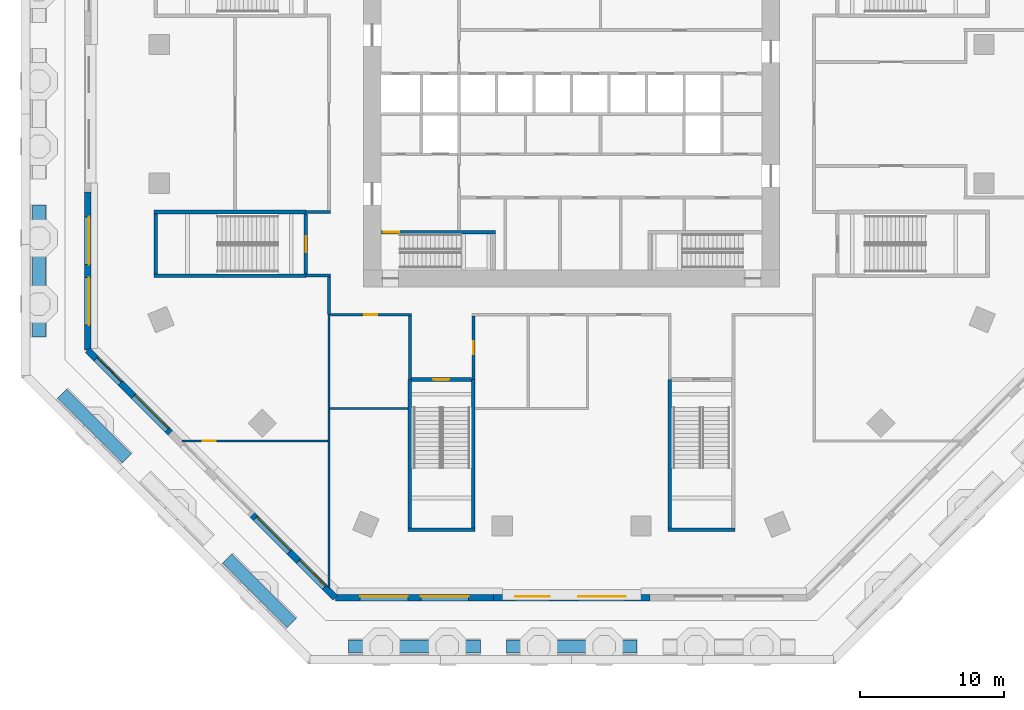
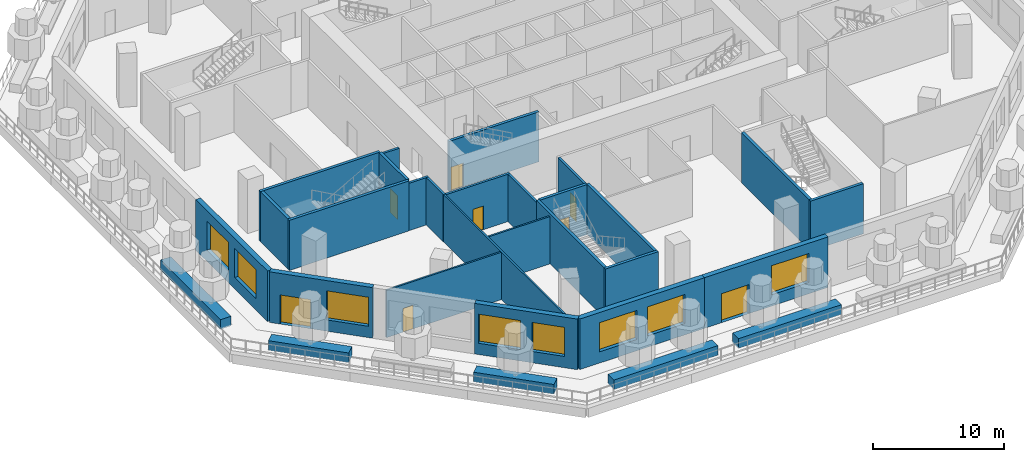
# One storey, part 3 of 13: 30 walls, 8 doors, 8 windows, 16 openings.
"""IFC4 building model written with IfcOpenShell, lengths in metres."""

from ifc_helpers import new_model, si_unit, direction, frame, frame_2d, origin, place, context, subcontext, project, spatial, rectangle, extrude, material, layer, layer_set, type_object, element, fill, save


model = new_model("IFC4")

# Units and contexts
model_context = context("Model", 3, precision=1e-05, world=origin(), true_north=direction((0.0, 1.0)))
body_context = subcontext(model_context, "Body", "Model", "MODEL_VIEW")
ifc_project = project(units=[si_unit("LENGTHUNIT", "METRE"), si_unit("AREAUNIT", "SQUARE_METRE"), si_unit("VOLUMEUNIT", "CUBIC_METRE"), si_unit("PLANEANGLEUNIT", "RADIAN"), si_unit("MASSUNIT", "GRAM", prefix="KILO")], contexts=[model_context])

# Site, building, storey
site_placement = place(None, origin())
site = spatial("IfcSite", under=ifc_project, at=site_placement, CompositionType="ELEMENT")
building_placement = place(site_placement, origin())
building = spatial("IfcBuilding", under=site, at=building_placement, Name="Msitu Wima Residences", CompositionType="ELEMENT")
storey_placement = place(building_placement, frame((0.0, 0.0, 16.0)))
storey = spatial("IfcBuildingStorey", under=building, at=storey_placement, Name="L03", CompositionType="ELEMENT", Elevation=16.0)

# Wall, openings, windows
ifc_material_1 = material(Name="Brick (red buff mix), cavity wall of two leaves", Category="masonry")
ifc_layer_1 = layer(ifc_material_1, 0.449951171875)
ifc_layer_set_1 = layer_set([ifc_layer_1], Name="Brick (red buff mix), cavity wall of two leaves")
wall_type_1 = type_object("IfcWallType", Name="Brick infill wall BW450 podium", PredefinedType="ELEMENTEDWALL", material=ifc_layer_set_1)
wall_1_placement = place(storey_placement, frame((-33.52490234375, -5.42138671875, 0.0), z_axis=(0.0, 0.0, 1.0), x_axis=(0.0, -1.0, 0.0)))
wall_1 = element("IfcWall", 1, at=wall_1_placement, inside=storey, type_object=wall_type_1, Name="Brick infill wall L03 W2", PredefinedType="ELEMENTEDWALL", context=body_context, shape_type="SweptSolid", body=[
    extrude(rectangle(XDim=10.935791015625, YDim=0.449951171875, at=frame_2d((5.4677734375, 0.0))), origin(), (0.0, 0.0, 1.0), 4.699951171875),
])
opening_1_placement = place(wall_1_placement, frame((1.718017578125, 0.0, 1.050048828125)))
opening_1 = element("IfcOpeningElement", 2, at=opening_1_placement, cuts=wall_1, Name="Opening W03.039", PredefinedType="OPENING", context=body_context, shape_type="SweptSolid", body=[
    extrude(rectangle(XDim=3.300048828125, YDim=2.699951171875, at=frame_2d((1.64990234375, 1.35009765625))), frame((0.0, 0.23486328125, 0.0), z_axis=(0.0, -1.0, 0.0), x_axis=(1.0, 0.0, 0.0)), (0.0, 0.0, 1.0), 0.469970703125),
])
opening_2_placement = place(wall_1_placement, frame((5.91796875, 0.0, 1.050048828125)))
opening_2 = element("IfcOpeningElement", 3, at=opening_2_placement, cuts=wall_1, Name="Opening W03.040", PredefinedType="OPENING", context=body_context, shape_type="SweptSolid", body=[
    extrude(rectangle(XDim=3.300048828125, YDim=2.699951171875, at=frame_2d((1.64990234375, 1.35009765625))), frame((0.0, 0.23486328125, 0.0), z_axis=(0.0, -1.0, 0.0), x_axis=(1.0, 0.0, 0.0)), (0.0, 0.0, 1.0), 0.469970703125),
])
ifc_material_2 = material(Name="Anodised aluminium, bronze finish, clear low-emissivity double glazing", Category="aluminium")
window_type_1 = type_object("IfcWindowType", Name="Window W3300x2700", PartitioningType="DOUBLE_PANEL_VERTICAL", PredefinedType="WINDOW", material=ifc_material_2)
window_1_placement = place(opening_1_placement, origin())
window_1 = element("IfcWindow", 4, at=window_1_placement, inside=storey, type_object=window_type_1, Name="Window L03 W2.1", OverallHeight=2.699951171875, OverallWidth=3.300048828125, PartitioningType="SINGLE_PANEL", PredefinedType="WINDOW", context=body_context, shape_type="SweptSolid", body=[
    extrude(rectangle(XDim=3.300048828125, YDim=2.699951171875, at=frame_2d((1.64990234375, 1.35009765625))), frame((0.0, 0.135009765625, 0.0), z_axis=(0.0, -1.0, 0.0), x_axis=(1.0, 0.0, 0.0)), (0.0, 0.0, 1.0), 0.06005859375),
])
fill(opening_1, window_1)
window_2_placement = place(opening_2_placement, origin())
window_2 = element("IfcWindow", 5, at=window_2_placement, inside=storey, type_object=window_type_1, Name="Window L03 W2.2", OverallHeight=2.699951171875, OverallWidth=3.300048828125, PartitioningType="SINGLE_PANEL", PredefinedType="WINDOW", context=body_context, shape_type="SweptSolid", body=[
    extrude(rectangle(XDim=3.300048828125, YDim=2.699951171875, at=frame_2d((1.64990234375, 1.35009765625))), frame((0.0, 0.135009765625, 0.0), z_axis=(0.0, -1.0, 0.0), x_axis=(1.0, 0.0, 0.0)), (0.0, 0.0, 1.0), 0.06005859375),
])
fill(opening_2, window_2)

# Wall, openings, door, window
wall_2_placement = place(storey_placement, frame((-33.52490234375, -16.357177734375, 0.0), z_axis=(0.0, 0.0, 1.0), x_axis=(0.707091755064, -0.70712180699, 0.0)))
wall_2 = element("IfcWall", 6, at=wall_2_placement, inside=storey, type_object=wall_type_1, Name="Brick infill wall L03 SW0", PredefinedType="ELEMENTEDWALL", context=body_context, shape_type="SweptSolid", body=[
    extrude(rectangle(XDim=8.1240234375, YDim=0.449951171875, at=frame_2d((4.06201171875, 0.0))), origin(), (0.0, 0.0, 1.0), 4.699951171875),
])
opening_3_placement = place(wall_2_placement, frame((0.8310546875, 0.0, 0.0)))
opening_3 = element("IfcOpeningElement", 7, at=opening_3_placement, cuts=wall_2, Name="Opening D03.007", PredefinedType="OPENING", context=body_context, shape_type="SweptSolid", body=[
    extrude(rectangle(XDim=2.39990234375, YDim=2.699951171875, at=frame_2d((1.199951171875, 1.35009765625))), frame((0.0, 0.23486328125, 0.0), z_axis=(0.0, -1.0, 0.0), x_axis=(1.0, 0.0, 0.0)), (0.0, 0.0, 1.0), 0.469970703125),
])
opening_4_placement = place(wall_2_placement, frame((4.511962890625, 0.0, 1.050048828125)))
opening_4 = element("IfcOpeningElement", 8, at=opening_4_placement, cuts=wall_2, Name="Opening W03.031", PredefinedType="OPENING", context=body_context, shape_type="SweptSolid", body=[
    extrude(rectangle(XDim=3.300048828125, YDim=2.699951171875, at=frame_2d((1.64990234375, 1.35009765625))), frame((0.0, 0.23486328125, 0.0), z_axis=(0.0, -1.0, 0.0), x_axis=(1.0, 0.0, 0.0)), (0.0, 0.0, 1.0), 0.469970703125),
])
door_type_1 = type_object("IfcDoorType", Name="Balcony door D2400x2700", OperationType="SLIDING_TO_LEFT", PredefinedType="DOOR", material=ifc_material_2)
door_1_placement = place(opening_3_placement, origin())
door_1 = element("IfcDoor", 9, at=door_1_placement, inside=storey, type_object=door_type_1, Name="Terrace door L03 SW0", OperationType="SINGLE_SWING_LEFT", OverallHeight=2.699951171875, OverallWidth=2.39990234375, PredefinedType="DOOR", context=body_context, shape_type="SweptSolid", body=[
    extrude(rectangle(XDim=2.39990234375, YDim=2.699951171875, at=frame_2d((1.199951171875, 1.35009765625))), frame((0.0, 0.1298828125, 0.0), z_axis=(0.0, -1.0, 0.0), x_axis=(1.0, 0.0, 0.0)), (0.0, 0.0, 1.0), 0.050048828125),
])
fill(opening_3, door_1)
window_3_placement = place(opening_4_placement, origin())
window_3 = element("IfcWindow", 10, at=window_3_placement, inside=storey, type_object=window_type_1, Name="Window L03 SW0.2", OverallHeight=2.699951171875, OverallWidth=3.300048828125, PartitioningType="SINGLE_PANEL", PredefinedType="WINDOW", context=body_context, shape_type="SweptSolid", body=[
    extrude(rectangle(XDim=3.300048828125, YDim=2.699951171875, at=frame_2d((1.64990234375, 1.35009765625))), frame((0.0, 0.135009765625, 0.0), z_axis=(0.0, -1.0, 0.0), x_axis=(1.0, 0.0, 0.0)), (0.0, 0.0, 1.0), 0.06005859375),
])
fill(opening_4, window_3)

# Wall, openings, windows
wall_3_placement = place(storey_placement, frame((-22.101806640625, -27.780517578125, 0.0), z_axis=(0.0, 0.0, 1.0), x_axis=(0.70712180699, -0.707091755064, 0.0)))
wall_3 = element("IfcWall", 11, at=wall_3_placement, inside=storey, type_object=wall_type_1, Name="Brick infill wall L03 SW2", PredefinedType="ELEMENTEDWALL", context=body_context, shape_type="SweptSolid", body=[
    extrude(rectangle(XDim=8.1240234375, YDim=0.449951171875, at=frame_2d((4.06201171875, 0.0))), origin(), (0.0, 0.0, 1.0), 4.699951171875),
])
opening_5_placement = place(wall_3_placement, frame((0.31201171875, 0.0, 1.050048828125)))
opening_5 = element("IfcOpeningElement", 12, at=opening_5_placement, cuts=wall_3, Name="Opening W03.034", PredefinedType="OPENING", context=body_context, shape_type="SweptSolid", body=[
    extrude(rectangle(XDim=3.300048828125, YDim=2.699951171875, at=frame_2d((1.64990234375, 1.35009765625))), frame((0.0, 0.23486328125, 0.0), z_axis=(0.0, -1.0, 0.0), x_axis=(1.0, 0.0, 0.0)), (0.0, 0.0, 1.0), 0.469970703125),
])
opening_6_placement = place(wall_3_placement, frame((4.511962890625, 0.0, 1.050048828125)))
opening_6 = element("IfcOpeningElement", 13, at=opening_6_placement, cuts=wall_3, Name="Opening W03.035", PredefinedType="OPENING", context=body_context, shape_type="SweptSolid", body=[
    extrude(rectangle(XDim=2.56005859375, YDim=2.699951171875, at=frame_2d((1.280029296875, 1.35009765625))), frame((0.0, 0.23486328125, 0.0), z_axis=(0.0, -1.0, 0.0), x_axis=(1.0, 0.0, 0.0)), (0.0, 0.0, 1.0), 0.469970703125),
])
window_type_2 = type_object("IfcWindowType", Name="Window W2560x2700", PartitioningType="DOUBLE_PANEL_VERTICAL", PredefinedType="WINDOW", material=ifc_material_2)
window_4_placement = place(opening_6_placement, origin())
window_4 = element("IfcWindow", 14, at=window_4_placement, inside=storey, type_object=window_type_2, Name="Window L03 SW2.2a", OverallHeight=2.699951171875, OverallWidth=2.56005859375, PartitioningType="SINGLE_PANEL", PredefinedType="WINDOW", context=body_context, shape_type="SweptSolid", body=[
    extrude(rectangle(XDim=2.56005859375, YDim=2.699951171875, at=frame_2d((1.280029296875, 1.35009765625))), frame((0.0, 0.135009765625, 0.0), z_axis=(0.0, -1.0, 0.0), x_axis=(1.0, 0.0, 0.0)), (0.0, 0.0, 1.0), 0.06005859375),
])
fill(opening_6, window_4)
window_5_placement = place(opening_5_placement, origin())
window_5 = element("IfcWindow", 15, at=window_5_placement, inside=storey, type_object=window_type_1, Name="Window L03 SW2.1", OverallHeight=2.699951171875, OverallWidth=3.300048828125, PartitioningType="SINGLE_PANEL", PredefinedType="WINDOW", context=body_context, shape_type="SweptSolid", body=[
    extrude(rectangle(XDim=3.300048828125, YDim=2.699951171875, at=frame_2d((1.64990234375, 1.35009765625))), frame((0.0, 0.135009765625, 0.0), z_axis=(0.0, -1.0, 0.0), x_axis=(1.0, 0.0, 0.0)), (0.0, 0.0, 1.0), 0.06005859375),
])
fill(opening_5, window_5)

wall_4_placement = place(storey_placement, frame((-16.357177734375, -33.52490234375, 0.0), z_axis=(0.0, 0.0, 1.0), x_axis=(1.0, 0.0, 0.0)))
wall_4 = element("IfcWall", 16, at=wall_4_placement, inside=storey, type_object=wall_type_1, Name="Brick infill wall L03 S0", PredefinedType="ELEMENTEDWALL", context=body_context, shape_type="SweptSolid", body=[
    extrude(rectangle(XDim=10.935791015625, YDim=0.449951171875, at=frame_2d((5.4677734375, 0.0))), origin(), (0.0, 0.0, 1.0), 4.699951171875),
])
opening_7_placement = place(wall_4_placement, frame((1.718017578125, 0.0, 1.050048828125)))
opening_7 = element("IfcOpeningElement", 17, at=opening_7_placement, cuts=wall_4, Name="Opening W03.021", PredefinedType="OPENING", context=body_context, shape_type="SweptSolid", body=[
    extrude(rectangle(XDim=3.300048828125, YDim=2.699951171875, at=frame_2d((1.64990234375, 1.35009765625))), frame((0.0, 0.23486328125, 0.0), z_axis=(0.0, -1.0, 0.0), x_axis=(1.0, 0.0, 0.0)), (0.0, 0.0, 1.0), 0.469970703125),
])
opening_8_placement = place(wall_4_placement, frame((5.91796875, 0.0, 1.050048828125)))
opening_8 = element("IfcOpeningElement", 18, at=opening_8_placement, cuts=wall_4, Name="Opening W03.022", PredefinedType="OPENING", context=body_context, shape_type="SweptSolid", body=[
    extrude(rectangle(XDim=3.300048828125, YDim=2.699951171875, at=frame_2d((1.64990234375, 1.35009765625))), frame((0.0, 0.23486328125, 0.0), z_axis=(0.0, -1.0, 0.0), x_axis=(1.0, 0.0, 0.0)), (0.0, 0.0, 1.0), 0.469970703125),
])
window_6_placement = place(opening_7_placement, origin())
window_6 = element("IfcWindow", 19, at=window_6_placement, inside=storey, type_object=window_type_1, Name="Window L03 S0.1", OverallHeight=2.699951171875, OverallWidth=3.300048828125, PartitioningType="SINGLE_PANEL", PredefinedType="WINDOW", context=body_context, shape_type="SweptSolid", body=[
    extrude(rectangle(XDim=3.300048828125, YDim=2.699951171875, at=frame_2d((1.64990234375, 1.35009765625))), frame((0.0, 0.135009765625, 0.0), z_axis=(0.0, -1.0, 0.0), x_axis=(1.0, 0.0, 0.0)), (0.0, 0.0, 1.0), 0.06005859375),
])
fill(opening_7, window_6)
window_7_placement = place(opening_8_placement, origin())
window_7 = element("IfcWindow", 20, at=window_7_placement, inside=storey, type_object=window_type_1, Name="Window L03 S0.2", OverallHeight=2.699951171875, OverallWidth=3.300048828125, PartitioningType="SINGLE_PANEL", PredefinedType="WINDOW", context=body_context, shape_type="SweptSolid", body=[
    extrude(rectangle(XDim=3.300048828125, YDim=2.699951171875, at=frame_2d((1.64990234375, 1.35009765625))), frame((0.0, 0.135009765625, 0.0), z_axis=(0.0, -1.0, 0.0), x_axis=(1.0, 0.0, 0.0)), (0.0, 0.0, 1.0), 0.06005859375),
])
fill(opening_8, window_7)

# Wall, openings, door, window
wall_5_placement = place(storey_placement, frame((-5.42138671875, -33.52490234375, 0.0), z_axis=(0.0, 0.0, 1.0), x_axis=(1.0, 0.0, 0.0)))
wall_5 = element("IfcWall", 21, at=wall_5_placement, inside=storey, type_object=wall_type_1, Name="Brick infill wall L03 S1", PredefinedType="ELEMENTEDWALL", context=body_context, shape_type="SweptSolid", body=[
    extrude(rectangle(XDim=10.8427734375, YDim=0.449951171875, at=frame_2d((5.42138671875, 0.0))), origin(), (0.0, 0.0, 1.0), 4.699951171875),
])
opening_9_placement = place(wall_5_placement, frame((1.5107421875, 0.0, 0.0)))
opening_9 = element("IfcOpeningElement", 22, at=opening_9_placement, cuts=wall_5, Name="Opening D03.005", PredefinedType="OPENING", context=body_context, shape_type="SweptSolid", body=[
    extrude(rectangle(XDim=2.39990234375, YDim=2.699951171875, at=frame_2d((1.199951171875, 1.35009765625))), frame((0.0, 0.23486328125, 0.0), z_axis=(0.0, -1.0, 0.0), x_axis=(1.0, 0.0, 0.0)), (0.0, 0.0, 1.0), 0.469970703125),
])
opening_10_placement = place(wall_5_placement, frame((5.871337890625, 0.0, 1.050048828125)))
opening_10 = element("IfcOpeningElement", 23, at=opening_10_placement, cuts=wall_5, Name="Opening W03.023", PredefinedType="OPENING", context=body_context, shape_type="SweptSolid", body=[
    extrude(rectangle(XDim=3.300048828125, YDim=2.699951171875, at=frame_2d((1.64990234375, 1.35009765625))), frame((0.0, 0.23486328125, 0.0), z_axis=(0.0, -1.0, 0.0), x_axis=(1.0, 0.0, 0.0)), (0.0, 0.0, 1.0), 0.469970703125),
])
door_2_placement = place(opening_9_placement, origin())
door_2 = element("IfcDoor", 24, at=door_2_placement, inside=storey, type_object=door_type_1, Name="Terrace door L03 S1", OperationType="SINGLE_SWING_LEFT", OverallHeight=2.699951171875, OverallWidth=2.39990234375, PredefinedType="DOOR", context=body_context, shape_type="SweptSolid", body=[
    extrude(rectangle(XDim=2.39990234375, YDim=2.699951171875, at=frame_2d((1.199951171875, 1.35009765625))), frame((0.0, 0.1298828125, 0.0), z_axis=(0.0, -1.0, 0.0), x_axis=(1.0, 0.0, 0.0)), (0.0, 0.0, 1.0), 0.050048828125),
])
fill(opening_9, door_2)
window_8_placement = place(opening_10_placement, origin())
window_8 = element("IfcWindow", 25, at=window_8_placement, inside=storey, type_object=window_type_1, Name="Window L03 S1.2", OverallHeight=2.699951171875, OverallWidth=3.300048828125, PartitioningType="SINGLE_PANEL", PredefinedType="WINDOW", context=body_context, shape_type="SweptSolid", body=[
    extrude(rectangle(XDim=3.300048828125, YDim=2.699951171875, at=frame_2d((1.64990234375, 1.35009765625))), frame((0.0, 0.135009765625, 0.0), z_axis=(0.0, -1.0, 0.0), x_axis=(1.0, 0.0, 0.0)), (0.0, 0.0, 1.0), 0.06005859375),
])
fill(opening_10, window_8)

# Walls
ifc_material_3 = material(Name="Plaster")
ifc_layer_2 = layer(ifc_material_3, 0.011962890625, Name="Plaster")
ifc_material_4 = material(Name="Concrete blockwork", Category="masonry")
ifc_layer_3 = layer(ifc_material_4, 0.176025390625, Name="Concrete blockwork")
ifc_layer_4 = layer(ifc_material_3, 0.011962890625, Name="Plaster")
ifc_layer_set_2 = layer_set([ifc_layer_2, ifc_layer_3, ifc_layer_4], Name="Concrete blockwork")
wall_type_2 = type_object("IfcWallType", Name="Corridor wall FW200", PredefinedType="PARTITIONING", material=ifc_layer_set_2)
for number, where, z_axis, x_axis, name in (
    (26, (-18.39990234375, -11.199951171875, 0.0), (0.0, 0.0, 1.0), (1.0, 0.0, 0.0), "Corridor wall"),
    (27, (-18.39990234375, -6.800048828125, 0.0), (0.0, 0.0, 1.0), (1.0, 0.0, 0.0), "Corridor wall"),
):
    element("IfcWall", number, at=place(storey_placement, frame(where, z_axis=z_axis, x_axis=x_axis)), inside=storey, type_object=wall_type_2, Name=name, PredefinedType="PARTITIONING", context=body_context, shape_type="SweptSolid", body=[
        extrude(rectangle(XDim=1.699951171875, YDim=0.199951171875, at=frame_2d((0.85009765625, 0.0))), origin(), (0.0, 0.0, 1.0), 4.39990234375),
    ])
wall_6_placement = place(storey_placement, frame((-16.800048828125, -13.8935546875, 0.0), z_axis=(0.0, 0.0, 1.0), x_axis=(0.0, 1.0, 0.0)))
element("IfcWall", 28, at=wall_6_placement, inside=storey, type_object=wall_type_2, Name="Corridor wall", PredefinedType="PARTITIONING", context=body_context, shape_type="SweptSolid", body=[
    extrude(rectangle(XDim=2.593505859375, YDim=0.199951171875, at=frame_2d((1.296875, 0.0))), origin(), (0.0, 0.0, 1.0), 4.39990234375),
])

# Wall, opening, door
wall_7_placement = place(storey_placement, frame((-16.699951171875, -13.91357421875, 0.0), z_axis=(0.0, 0.0, 1.0), x_axis=(1.0, 0.0, 0.0)))
wall_7 = element("IfcWall", 29, at=wall_7_placement, inside=storey, type_object=wall_type_2, Name="Corridor wall", PredefinedType="PARTITIONING", context=body_context, shape_type="SweptSolid", body=[
    extrude(rectangle(XDim=5.599853515625, YDim=0.199951171875, at=frame_2d((2.7998046875, 0.0))), origin(), (0.0, 0.0, 1.0), 4.39990234375),
])
opening_11_placement = place(wall_7_placement, frame((2.35009765625, 0.0, 0.0)))
opening_11 = element("IfcOpeningElement", 30, at=opening_11_placement, cuts=wall_7, Name="Opening D03.036", PredefinedType="OPENING", context=body_context, shape_type="SweptSolid", body=[
    extrude(rectangle(XDim=0.89990234375, YDim=2.199951171875, at=frame_2d((0.449951171875, 1.10009765625))), frame((0.0, 0.10986328125, 0.0), z_axis=(0.0, -1.0, 0.0), x_axis=(1.0, 0.0, 0.0)), (0.0, 0.0, 1.0), 0.219970703125),
])
ifc_material_5 = material(Name="Timber flush door, moisture resistant", Category="wood")
door_type_2 = type_object("IfcDoorType", Name="Bathroom door D03 900x2200", OperationType="SINGLE_SWING_LEFT", PredefinedType="DOOR", material=ifc_material_5)
door_3_placement = place(opening_11_placement, origin())
door_3 = element("IfcDoor", 31, at=door_3_placement, inside=storey, type_object=door_type_2, Name="Bathroom door", OperationType="SINGLE_SWING_LEFT", OverallHeight=2.199951171875, OverallWidth=0.89990234375, PredefinedType="DOOR", context=body_context, shape_type="SweptSolid", body=[
    extrude(rectangle(XDim=0.89990234375, YDim=2.199951171875, at=frame_2d((0.449951171875, 1.10009765625))), frame((0.0, 0.02490234375, 0.0), z_axis=(0.0, -1.0, 0.0), x_axis=(1.0, 0.0, 0.0)), (0.0, 0.0, 1.0), 0.050048828125),
])
fill(opening_11, door_3)

# Wall
wall_8_placement = place(storey_placement, frame((-11.199951171875, -18.39990234375, 0.0), z_axis=(0.0, 0.0, 1.0), x_axis=(0.0, 1.0, 0.0)))
element("IfcWall", 32, at=wall_8_placement, inside=storey, type_object=wall_type_2, Name="Corridor wall", PredefinedType="PARTITIONING", context=body_context, shape_type="SweptSolid", body=[
    extrude(rectangle(XDim=4.386474609375, YDim=0.199951171875, at=frame_2d((2.193359375, 0.0))), origin(), (0.0, 0.0, 1.0), 4.39990234375),
])

# Wall, opening, door
wall_9_placement = place(storey_placement, frame((-6.800048828125, -18.39990234375, 0.0), z_axis=(0.0, 0.0, 1.0), x_axis=(0.0, 1.0, 0.0)))
wall_9 = element("IfcWall", 33, at=wall_9_placement, inside=storey, type_object=wall_type_2, Name="Corridor wall", PredefinedType="PARTITIONING", context=body_context, shape_type="SweptSolid", body=[
    extrude(rectangle(XDim=4.386474609375, YDim=0.199951171875, at=frame_2d((2.193359375, 0.0))), origin(), (0.0, 0.0, 1.0), 4.39990234375),
])
opening_12_placement = place(wall_9_placement, frame((1.75, 0.0, 0.0)))
opening_12 = element("IfcOpeningElement", 34, at=opening_12_placement, cuts=wall_9, Name="Opening D03.037", PredefinedType="OPENING", context=body_context, shape_type="SweptSolid", body=[
    extrude(rectangle(XDim=0.89990234375, YDim=2.199951171875, at=frame_2d((0.449951171875, 1.10009765625))), frame((0.0, 0.10986328125, 0.0), z_axis=(0.0, -1.0, 0.0), x_axis=(1.0, 0.0, 0.0)), (0.0, 0.0, 1.0), 0.219970703125),
])
door_4_placement = place(opening_12_placement, origin())
door_4 = element("IfcDoor", 35, at=door_4_placement, inside=storey, type_object=door_type_2, Name="Bathroom door", OperationType="SINGLE_SWING_LEFT", OverallHeight=2.199951171875, OverallWidth=0.89990234375, PredefinedType="DOOR", context=body_context, shape_type="SweptSolid", body=[
    extrude(rectangle(XDim=0.89990234375, YDim=2.199951171875, at=frame_2d((0.449951171875, 1.10009765625))), frame((0.0, 0.02490234375, 0.0), z_axis=(0.0, -1.0, 0.0), x_axis=(1.0, 0.0, 0.0)), (0.0, 0.0, 1.0), 0.050048828125),
])
fill(opening_12, door_4)

ifc_layer_5 = layer(ifc_material_3, 0.011962890625, Name="Plaster")
ifc_layer_6 = layer(ifc_material_4, 0.1259765625, Name="Concrete blockwork")
ifc_layer_7 = layer(ifc_material_3, 0.011962890625, Name="Plaster")
ifc_layer_set_3 = layer_set([ifc_layer_5, ifc_layer_6, ifc_layer_7], Name="Concrete blockwork")
wall_type_3 = type_object("IfcWallType", Name="Partition PW150", PredefinedType="PARTITIONING", material=ifc_layer_set_3)
wall_10_placement = place(storey_placement, frame((-26.98583984375, -22.65576171875, 0.0), z_axis=(0.0, 0.0, 1.0), x_axis=(1.0, 0.0, 0.0)))
wall_10 = element("IfcWall", 36, at=wall_10_placement, inside=storey, type_object=wall_type_3, Name="Partition", PredefinedType="PARTITIONING", context=body_context, shape_type="SweptSolid", body=[
    extrude(rectangle(XDim=10.11083984375, YDim=0.14990234375, at=frame_2d((5.055419921875, 0.0))), origin(), (0.0, 0.0, 1.0), 4.39990234375),
])
opening_13_placement = place(wall_10_placement, frame((1.449951171875, 0.0, 0.0)))
opening_13 = element("IfcOpeningElement", 37, at=opening_13_placement, cuts=wall_10, Name="Opening D03.032", PredefinedType="OPENING", context=body_context, shape_type="SweptSolid", body=[
    extrude(rectangle(XDim=0.89990234375, YDim=2.199951171875, at=frame_2d((0.449951171875, 1.10009765625))), frame((0.0, 0.0849609375, 0.0), z_axis=(0.0, -1.0, 0.0), x_axis=(1.0, 0.0, 0.0)), (0.0, 0.0, 1.0), 0.169921875),
])
ifc_material_6 = material(Name="Timber flush door", Category="wood")
door_type_3 = type_object("IfcDoorType", Name="Service door D05 900x2200", OperationType="SINGLE_SWING_LEFT", PredefinedType="DOOR", material=ifc_material_6)
door_5_placement = place(opening_13_placement, origin())
door_5 = element("IfcDoor", 38, at=door_5_placement, inside=storey, type_object=door_type_3, Name="Service door", OperationType="SINGLE_SWING_RIGHT", OverallHeight=2.199951171875, OverallWidth=0.89990234375, PredefinedType="DOOR", context=body_context, shape_type="SweptSolid", body=[
    extrude(rectangle(XDim=0.89990234375, YDim=2.199951171875, at=frame_2d((0.449951171875, 1.10009765625))), frame((0.0, 0.02490234375, 0.0), z_axis=(0.0, -1.0, 0.0), x_axis=(1.0, 0.0, 0.0)), (0.0, 0.0, 1.0), 0.050048828125),
])
fill(opening_13, door_5)

# Walls
wall_11_placement = place(storey_placement, frame((-16.800048828125, -32.841796875, 0.0), z_axis=(0.0, 0.0, 1.0), x_axis=(0.0, 1.0, 0.0)))
element("IfcWall", 39, at=wall_11_placement, inside=storey, type_object=wall_type_3, Name="Partition", PredefinedType="PARTITIONING", context=body_context, shape_type="SweptSolid", body=[
    extrude(rectangle(XDim=18.9482421875, YDim=0.14990234375, at=frame_2d((9.47412109375, 0.0))), origin(), (0.0, 0.0, 1.0), 4.39990234375),
])
wall_12_placement = place(storey_placement, frame((-16.72509765625, -20.39990234375, 0.0), z_axis=(0.0, 0.0, 1.0), x_axis=(1.0, 0.0, 0.0)))
element("IfcWall", 40, at=wall_12_placement, inside=storey, type_object=wall_type_3, Name="Partition", PredefinedType="PARTITIONING", context=body_context, shape_type="SweptSolid", body=[
    extrude(rectangle(XDim=5.400146484375, YDim=0.14990234375, at=frame_2d((2.7001953125, 0.0))), origin(), (0.0, 0.0, 1.0), 4.39990234375),
])
ifc_material_7 = material(Name="Concrete C50/60", Category="concrete")
ifc_layer_8 = layer(ifc_material_7, 0.25)
ifc_layer_set_4 = layer_set([ifc_layer_8], Name="Concrete C50/60")
wall_type_4 = type_object("IfcWallType", Name="Stair enclosure wall SW250", PredefinedType="SHEAR", material=ifc_layer_set_4)
wall_13_placement = place(storey_placement, frame((-28.800048828125, -11.074951171875, 0.0), z_axis=(0.0, 0.0, 1.0), x_axis=(0.0, 1.0, 0.0)))
element("IfcWall", 41, at=wall_13_placement, inside=storey, type_object=wall_type_4, Name="Stair enclosure wall", PredefinedType="SHEAR", context=body_context, shape_type="SweptSolid", body=[
    extrude(rectangle(XDim=4.14990234375, YDim=0.25, at=frame_2d((2.074951171875, 0.0))), origin(), (0.0, 0.0, 1.0), 4.64990234375),
])
for number, where, z_axis, x_axis, name in (
    (42, (-28.925048828125, -11.199951171875, 0.0), (0.0, 0.0, 1.0), (1.0, 0.0, 0.0), "Stair enclosure wall"),
    (43, (-28.925048828125, -6.800048828125, 0.0), (0.0, 0.0, 1.0), (1.0, 0.0, 0.0), "Stair enclosure wall"),
):
    element("IfcWall", number, at=place(storey_placement, frame(where, z_axis=z_axis, x_axis=x_axis)), inside=storey, type_object=wall_type_4, Name=name, PredefinedType="SHEAR", context=body_context, shape_type="SweptSolid", body=[
        extrude(rectangle(XDim=10.525146484375, YDim=0.25, at=frame_2d((5.2626953125, 0.0))), origin(), (0.0, 0.0, 1.0), 4.64990234375),
    ])

# Wall, opening, door
wall_14_placement = place(storey_placement, frame((-18.39990234375, -11.074951171875, 0.0), z_axis=(0.0, 0.0, 1.0), x_axis=(0.0, 1.0, 0.0)))
wall_14 = element("IfcWall", 44, at=wall_14_placement, inside=storey, type_object=wall_type_4, Name="Stair enclosure wall", PredefinedType="SHEAR", context=body_context, shape_type="SweptSolid", body=[
    extrude(rectangle(XDim=4.14990234375, YDim=0.25, at=frame_2d((2.074951171875, 0.0))), origin(), (0.0, 0.0, 1.0), 4.64990234375),
])
opening_14_placement = place(wall_14_placement, frame((1.5, 0.0, 0.0)))
opening_14 = element("IfcOpeningElement", 45, at=opening_14_placement, cuts=wall_14, Name="Opening D03.044", PredefinedType="OPENING", context=body_context, shape_type="SweptSolid", body=[
    extrude(rectangle(XDim=1.10009765625, YDim=2.199951171875, at=frame_2d((0.550048828125, 1.10009765625))), frame((0.0, 0.135009765625, 0.0), z_axis=(0.0, -1.0, 0.0), x_axis=(1.0, 0.0, 0.0)), (0.0, 0.0, 1.0), 0.27001953125),
])
ifc_material_8 = material(Name="Steel door, fire resisting, panic bar", Category="steel")
door_type_4 = type_object("IfcDoorType", Name="Stair door D13 1100x2200", OperationType="SINGLE_SWING_LEFT", PredefinedType="DOOR", material=ifc_material_8)
door_6_placement = place(opening_14_placement, origin())
door_6 = element("IfcDoor", 46, at=door_6_placement, inside=storey, type_object=door_type_4, Name="Stair door", OperationType="SINGLE_SWING_LEFT", OverallHeight=2.199951171875, OverallWidth=1.10009765625, PredefinedType="DOOR", context=body_context, shape_type="SweptSolid", body=[
    extrude(rectangle(XDim=1.10009765625, YDim=2.199951171875, at=frame_2d((0.550048828125, 1.10009765625))), frame((0.0, 0.02490234375, 0.0), z_axis=(0.0, -1.0, 0.0), x_axis=(1.0, 0.0, 0.0)), (0.0, 0.0, 1.0), 0.050048828125),
])
fill(opening_14, door_6)

wall_15_placement = place(storey_placement, frame((-13.169921875, -8.199951171875, 0.0), z_axis=(0.0, 0.0, 1.0), x_axis=(1.0, 0.0, 0.0)))
wall_15 = element("IfcWall", 47, at=wall_15_placement, inside=storey, type_object=wall_type_4, Name="Stair enclosure wall", PredefinedType="SHEAR", context=body_context, shape_type="SweptSolid", body=[
    extrude(rectangle(XDim=7.89501953125, YDim=0.25, at=frame_2d((3.947509765625, 0.0))), origin(), (0.0, 0.0, 1.0), 4.64990234375),
])
opening_15_placement = place(wall_15_placement, frame((0.14990234375, 0.0, 0.0)))
opening_15 = element("IfcOpeningElement", 48, at=opening_15_placement, cuts=wall_15, Name="Opening D03.025", PredefinedType="OPENING", context=body_context, shape_type="SweptSolid", body=[
    extrude(rectangle(XDim=1.10009765625, YDim=2.199951171875, at=frame_2d((0.550048828125, 1.10009765625))), frame((0.0, 0.135009765625, 0.0), z_axis=(0.0, -1.0, 0.0), x_axis=(1.0, 0.0, 0.0)), (0.0, 0.0, 1.0), 0.27001953125),
])
door_type_5 = type_object("IfcDoorType", Name="Stair door D06 1100x2200", OperationType="SINGLE_SWING_LEFT", PredefinedType="DOOR", material=ifc_material_8)
door_7_placement = place(opening_15_placement, origin())
door_7 = element("IfcDoor", 49, at=door_7_placement, inside=storey, type_object=door_type_5, Name="Stair door", OperationType="SINGLE_SWING_RIGHT", OverallHeight=2.199951171875, OverallWidth=1.10009765625, PredefinedType="DOOR", context=body_context, shape_type="SweptSolid", body=[
    extrude(rectangle(XDim=1.10009765625, YDim=2.199951171875, at=frame_2d((0.550048828125, 1.10009765625))), frame((0.0, 0.02490234375, 0.0), z_axis=(0.0, -1.0, 0.0), x_axis=(1.0, 0.0, 0.0)), (0.0, 0.0, 1.0), 0.050048828125),
])
fill(opening_15, door_7)

# Walls
wall_16_placement = place(storey_placement, frame((-11.199951171875, -28.675048828125, 0.0), z_axis=(0.0, 0.0, 1.0), x_axis=(0.0, 1.0, 0.0)))
element("IfcWall", 50, at=wall_16_placement, inside=storey, type_object=wall_type_4, Name="Stair enclosure wall", PredefinedType="SHEAR", context=body_context, shape_type="SweptSolid", body=[
    extrude(rectangle(XDim=10.275146484375, YDim=0.25, at=frame_2d((5.1376953125, 0.0))), origin(), (0.0, 0.0, 1.0), 4.64990234375),
])
wall_17_placement = place(storey_placement, frame((-11.324951171875, -28.800048828125, 0.0), z_axis=(0.0, 0.0, 1.0), x_axis=(1.0, 0.0, 0.0)))
element("IfcWall", 51, at=wall_17_placement, inside=storey, type_object=wall_type_4, Name="Stair enclosure wall", PredefinedType="SHEAR", context=body_context, shape_type="SweptSolid", body=[
    extrude(rectangle(XDim=4.64990234375, YDim=0.25, at=frame_2d((2.324951171875, 0.0))), origin(), (0.0, 0.0, 1.0), 4.64990234375),
])

# Wall, opening, door
wall_18_placement = place(storey_placement, frame((-11.074951171875, -18.39990234375, 0.0), z_axis=(0.0, 0.0, 1.0), x_axis=(1.0, 0.0, 0.0)))
wall_18 = element("IfcWall", 52, at=wall_18_placement, inside=storey, type_object=wall_type_4, Name="Stair enclosure wall", PredefinedType="SHEAR", context=body_context, shape_type="SweptSolid", body=[
    extrude(rectangle(XDim=4.14990234375, YDim=0.25, at=frame_2d((2.074951171875, 0.0))), origin(), (0.0, 0.0, 1.0), 4.64990234375),
])
opening_16_placement = place(wall_18_placement, frame((1.5, 0.0, 0.0)))
opening_16 = element("IfcOpeningElement", 53, at=opening_16_placement, cuts=wall_18, Name="Opening D03.047", PredefinedType="OPENING", context=body_context, shape_type="SweptSolid", body=[
    extrude(rectangle(XDim=1.10009765625, YDim=2.199951171875, at=frame_2d((0.550048828125, 1.10009765625))), frame((0.0, 0.135009765625, 0.0), z_axis=(0.0, -1.0, 0.0), x_axis=(1.0, 0.0, 0.0)), (0.0, 0.0, 1.0), 0.27001953125),
])
door_8_placement = place(opening_16_placement, origin())
door_8 = element("IfcDoor", 54, at=door_8_placement, inside=storey, type_object=door_type_4, Name="Stair door", OperationType="SINGLE_SWING_RIGHT", OverallHeight=2.199951171875, OverallWidth=1.10009765625, PredefinedType="DOOR", context=body_context, shape_type="SweptSolid", body=[
    extrude(rectangle(XDim=1.10009765625, YDim=2.199951171875, at=frame_2d((0.550048828125, 1.10009765625))), frame((0.0, 0.02490234375, 0.0), z_axis=(0.0, -1.0, 0.0), x_axis=(1.0, 0.0, 0.0)), (0.0, 0.0, 1.0), 0.050048828125),
])
fill(opening_16, door_8)

# Walls
for number, where, z_axis, x_axis, name in (
    (55, (-6.800048828125, -28.675048828125, 0.0), (0.0, 0.0, 1.0), (0.0, 1.0, 0.0), "Stair enclosure wall"),
    (56, (6.800048828125, -28.675048828125, 0.0), (0.0, 0.0, 1.0), (0.0, 1.0, 0.0), "Stair enclosure wall"),
):
    element("IfcWall", number, at=place(storey_placement, frame(where, z_axis=z_axis, x_axis=x_axis)), inside=storey, type_object=wall_type_4, Name=name, PredefinedType="SHEAR", context=body_context, shape_type="SweptSolid", body=[
        extrude(rectangle(XDim=10.275146484375, YDim=0.25, at=frame_2d((5.1376953125, 0.0))), origin(), (0.0, 0.0, 1.0), 4.64990234375),
    ])
wall_19_placement = place(storey_placement, frame((6.675048828125, -28.800048828125, 0.0), z_axis=(0.0, 0.0, 1.0), x_axis=(1.0, 0.0, 0.0)))
element("IfcWall", 57, at=wall_19_placement, inside=storey, type_object=wall_type_4, Name="Stair enclosure wall", PredefinedType="SHEAR", context=body_context, shape_type="SweptSolid", body=[
    extrude(rectangle(XDim=4.64990234375, YDim=0.25, at=frame_2d((2.324951171875, 0.0))), origin(), (0.0, 0.0, 1.0), 4.64990234375),
])
ifc_material_9 = material(Name="Facing brick")
ifc_layer_9 = layer(ifc_material_9, 0.06494140625, Name="Facing brick")
ifc_material_10 = material(Name="Concrete C40/50", Category="concrete")
ifc_layer_10 = layer(ifc_material_10, 0.381103515625, Name="Concrete C40/50")
ifc_material_11 = material(Name="Waterproofing membrane")
ifc_layer_11 = layer(ifc_material_11, 0.00390625, Name="Waterproofing membrane")
ifc_material_12 = material(Name="Planting soil and planting")
ifc_layer_12 = layer(ifc_material_12, 0.449951171875, Name="Planting soil and planting")
ifc_layer_set_5 = layer_set([ifc_layer_9, ifc_layer_10, ifc_layer_11, ifc_layer_12], Name="Concrete C40/50")
wall_type_5 = type_object("IfcWallType", Name="Terrace planter PLANTER PL900", PredefinedType="USERDEFINED", material=ifc_layer_set_5)
wall_20_placement = place(storey_placement, frame((-36.89990234375, -6.3212890625, 0.0), z_axis=(0.0, 0.0, 1.0), x_axis=(0.0, -1.0, 0.0)))
element("IfcWall", 58, at=wall_20_placement, inside=storey, type_object=wall_type_5, Name="Terrace planter L03 W2", ObjectType="PLANTER", PredefinedType="USERDEFINED", context=body_context, shape_type="SweptSolid", body=[
    extrude(rectangle(XDim=9.135986328125, YDim=0.89990234375, at=frame_2d((4.56787109375, 0.0))), origin(), (0.0, 0.0, 1.0), 0.89990234375),
])
for number, where, z_axis, x_axis, name in (
    (59, (-35.275146484375, -19.380126953125, 0.0), (0.0, 0.0, 1.0), (0.707126083377, -0.70708747847, 0.0), "Terrace planter L03 SW0"),
    (60, (-23.851806640625, -30.80322265625, 0.0), (0.0, 0.0, 1.0), (0.70708747847, -0.707126083377, 0.0), "Terrace planter L03 SW2"),
):
    element("IfcWall", number, at=place(storey_placement, frame(where, z_axis=z_axis, x_axis=x_axis)), inside=storey, type_object=wall_type_5, Name=name, ObjectType="PLANTER", PredefinedType="USERDEFINED", context=body_context, shape_type="SweptSolid", body=[
        extrude(rectangle(XDim=6.323974609375, YDim=0.89990234375, at=frame_2d((3.162109375, 0.0))), origin(), (0.0, 0.0, 1.0), 0.89990234375),
    ])
wall_21_placement = place(storey_placement, frame((-15.457275390625, -36.89990234375, 0.0), z_axis=(0.0, 0.0, 1.0), x_axis=(1.0, 0.0, 0.0)))
element("IfcWall", 61, at=wall_21_placement, inside=storey, type_object=wall_type_5, Name="Terrace planter L03 S0", ObjectType="PLANTER", PredefinedType="USERDEFINED", context=body_context, shape_type="SweptSolid", body=[
    extrude(rectangle(XDim=9.135986328125, YDim=0.89990234375, at=frame_2d((4.56787109375, 0.0))), origin(), (0.0, 0.0, 1.0), 0.89990234375),
])
wall_22_placement = place(storey_placement, frame((-4.521240234375, -36.89990234375, 0.0), z_axis=(0.0, 0.0, 1.0), x_axis=(1.0, 0.0, 0.0)))
element("IfcWall", 62, at=wall_22_placement, inside=storey, type_object=wall_type_5, Name="Terrace planter L03 S1", ObjectType="PLANTER", PredefinedType="USERDEFINED", context=body_context, shape_type="SweptSolid", body=[
    extrude(rectangle(XDim=9.04248046875, YDim=0.89990234375, at=frame_2d((4.521240234375, 0.0))), origin(), (0.0, 0.0, 1.0), 0.89990234375),
])

save(model, "model.ifc")
